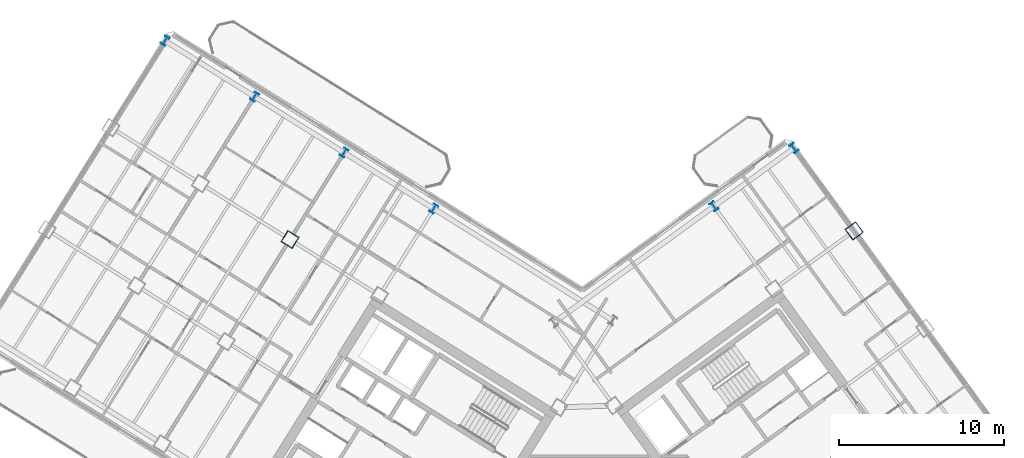
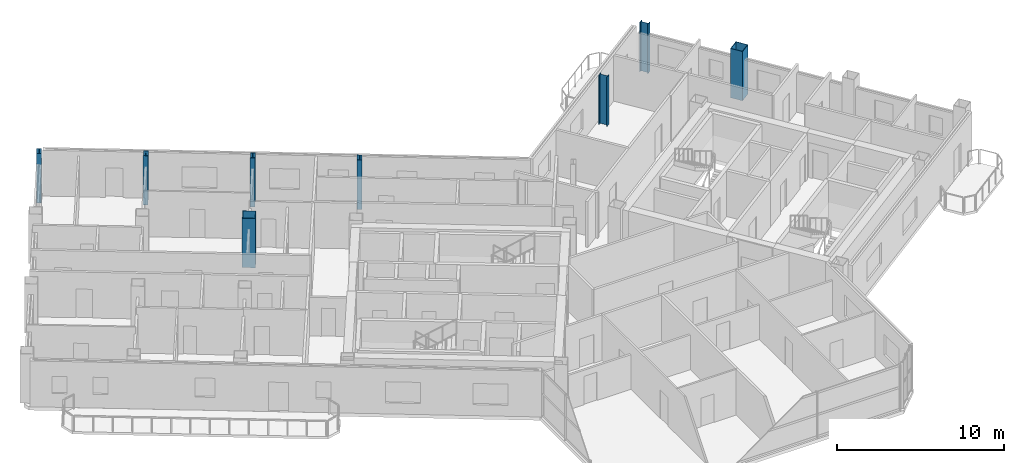
# One storey, part 3 of 21: 8 columns.
"""IFC4 building model written with IfcOpenShell, lengths in metres."""

from ifc_helpers import new_model, si_unit, direction, frame, origin, origin_2d, place, context, subcontext, project, spatial, hollow_rectangle, i_section, extrude, source, transform, mapped, material, material_profile, profile_set, type_object, element, save


model = new_model("IFC4")

# Units and contexts
model_context = context("Model", 3, precision=1e-05, world=origin(), true_north=direction((0.0, 1.0)))
body_context = subcontext(model_context, "Body", "Model", "MODEL_VIEW")
ifc_project = project(units=[si_unit("LENGTHUNIT", "METRE"), si_unit("AREAUNIT", "SQUARE_METRE"), si_unit("VOLUMEUNIT", "CUBIC_METRE"), si_unit("PLANEANGLEUNIT", "RADIAN"), si_unit("MASSUNIT", "GRAM", prefix="KILO")], contexts=[model_context])

# Site, building, storey
site_placement = place(None, origin())
site = spatial("IfcSite", under=ifc_project, at=site_placement, CompositionType="ELEMENT")
building_placement = place(site_placement, origin())
building = spatial("IfcBuilding", under=site, at=building_placement, Name="Tlacorven Tower", CompositionType="ELEMENT")
storey_placement = place(building_placement, frame((0.0, 0.0, 184.199951171875)))
storey = spatial("IfcBuildingStorey", under=building, at=storey_placement, Name="L46", CompositionType="ELEMENT", Elevation=184.199951171875)

# Columns
ifc_material = material(Name="Steel S460M", Category="steel")
ifc_material_profile_1 = material_profile(ifc_material, i_section(OverallWidth=0.300048828125, OverallDepth=0.550048828125, WebThickness=0.014892578125, FlangeThickness=0.029052734375, at=origin_2d()), Name="HEB 550")
ifc_profile_set_1 = profile_set([ifc_material_profile_1], Name="Steel S460M")
column_type_1 = type_object("IfcColumnType", Name="COL-TWR-P2", PredefinedType="COLUMN", material=ifc_profile_set_1)
shared_shape_1 = source(origin(), body_context, "Body", "SweptSolid", [
    extrude(i_section(OverallWidth=0.300048828125, OverallDepth=0.550048828125, WebThickness=0.014892578125, FlangeThickness=0.029052734375, at=origin_2d()), origin(), (0.0, 0.0, 1.0), 3.60009765625),
])
for number, where, z_axis, x_axis, name in (
    (1, (33.21337890625, 36.50927734375, 0.0), (0.0, 0.0, 1.0), (-0.848048096156, 0.529919264233, 0.0), "L46 column COL-L46-W3-1"),
    (2, (27.785888671875, 39.900634765625, 0.0), (0.0, 0.0, 1.0), (-0.848048096156, 0.529919264233, 0.0), "L46 column COL-L46-W4-1"),
    (3, (22.3583984375, 43.292236328125, 0.0), (0.0, 0.0, 1.0), (-0.848048096156, 0.529919264233, 0.0), "L46 column COL-L46-W5-1"),
    (4, (16.930908203125, 46.68359375, 0.0), (0.0, 0.0, 1.0), (-0.848048096156, 0.529919264233, 0.0), "L46 column COL-L46-W6-1"),
    (5, (50.187744140625, 36.654296875, 0.0), (0.0, 0.0, 1.0), (0.809016994375, 0.587785252292, 0.0), "L46 column COL-L46-E3-4"),
    (6, (55.041748046875, 40.18115234375, 0.0), (0.0, 0.0, 1.0), (0.809016994375, 0.587785252292, 0.0), "L46 column COL-L46-E4-4"),
):
    element("IfcColumn", number, at=place(storey_placement, frame(where, z_axis=z_axis, x_axis=x_axis)), inside=storey, type_object=column_type_1, Name=name, PredefinedType="COLUMN", context=body_context, shape_type="MappedRepresentation", body=[
        mapped(shared_shape_1, transform((0.0, 0.0, 0.0), scale=1.0)),
    ])
ifc_material_profile_2 = material_profile(ifc_material, hollow_rectangle(XDim=0.800048828125, YDim=0.800048828125, WallThickness=0.031982421875, at=origin_2d()), Name="BOX 800X800X32")
ifc_profile_set_2 = profile_set([ifc_material_profile_2], Name="Steel S460M")
column_type_2 = type_object("IfcColumnType", Name="COL-TWR-S3", PredefinedType="COLUMN", material=ifc_profile_set_2)
shared_shape_2 = source(origin(), body_context, "Body", "SweptSolid", [
    extrude(hollow_rectangle(XDim=0.800048828125, YDim=0.800048828125, WallThickness=0.031982421875, at=origin_2d()), origin(), (0.0, 0.0, 1.0), 3.60009765625),
])
for number, where, z_axis, x_axis, name in (
    (7, (24.50048828125, 34.642822265625, 0.0), (0.0, 0.0, 1.0), (-0.848048096156, 0.529919264233, 0.0), "L46 column COL-L46-W4-2"),
    (8, (58.68603515625, 35.165283203125, 0.0), (0.0, 0.0, 1.0), (0.809016994375, 0.587785252292, 0.0), "L46 column COL-L46-E4-3"),
):
    element("IfcColumn", number, at=place(storey_placement, frame(where, z_axis=z_axis, x_axis=x_axis)), inside=storey, type_object=column_type_2, Name=name, PredefinedType="COLUMN", context=body_context, shape_type="MappedRepresentation", body=[
        mapped(shared_shape_2, transform((0.0, 0.0, 0.0), scale=1.0)),
    ])

save(model, "model.ifc")
